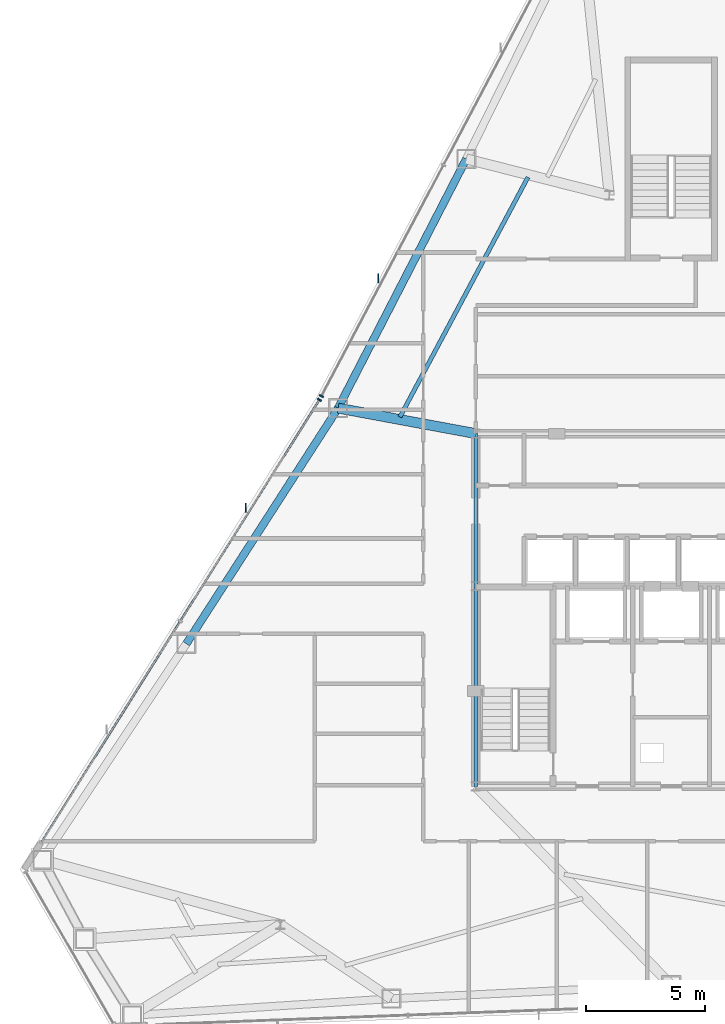
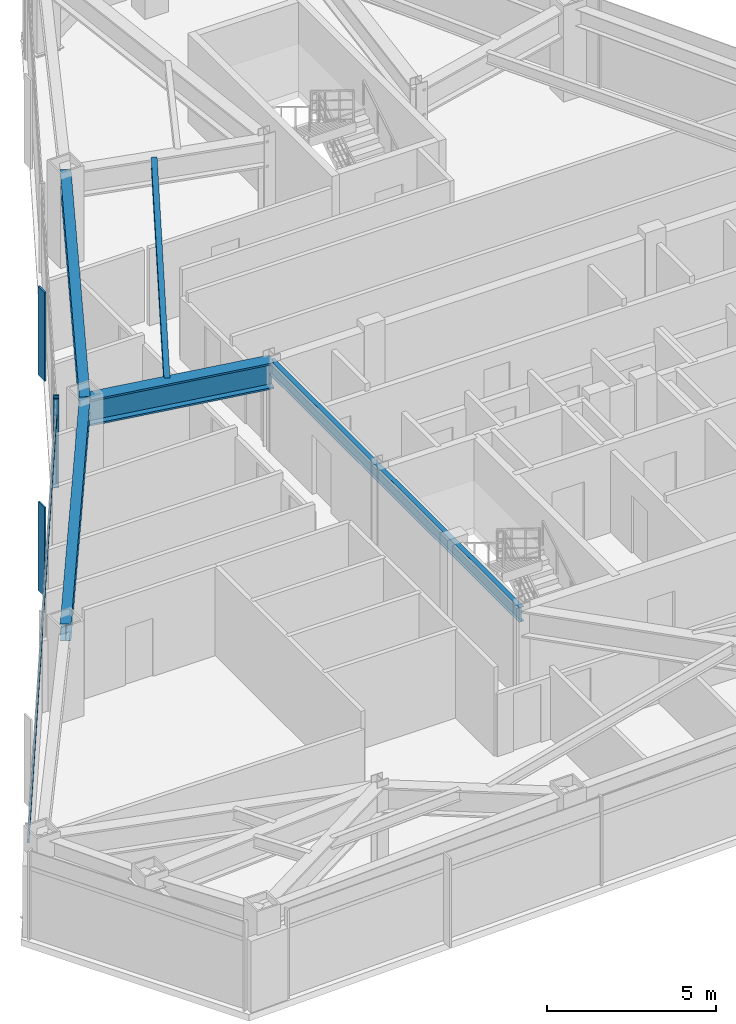
# One storey, part 5 of 13: 5 beams, 5 members, 2 elements without a shape of their own.
"""IFC4 building model written with IfcOpenShell, lengths in metres."""

from ifc_helpers import new_model, si_unit, direction, frame, origin, origin_2d, place, context, subcontext, project, spatial, rectangle, i_section, extrude, source, transform, mapped, material, layer, layer_set, material_profile, profile_set, type_object, type_shapes, element, aggregate, save


model = new_model("IFC4")

# Units and contexts
model_context = context("Model", 3, precision=1e-05, world=origin(), true_north=direction((0.0, 1.0)))
body_context = subcontext(model_context, "Body", "Model", "MODEL_VIEW")
ifc_project = project(units=[si_unit("LENGTHUNIT", "METRE"), si_unit("AREAUNIT", "SQUARE_METRE"), si_unit("VOLUMEUNIT", "CUBIC_METRE"), si_unit("PLANEANGLEUNIT", "RADIAN"), si_unit("MASSUNIT", "GRAM", prefix="KILO")], contexts=[model_context])

# Site, building, storey
site_placement = place(None, origin())
site = spatial("IfcSite", under=ifc_project, at=site_placement, CompositionType="ELEMENT")
building_placement = place(site_placement, origin())
building = spatial("IfcBuilding", under=site, at=building_placement, Name="Varakhsha Concourse Tower", CompositionType="ELEMENT")
storey_placement = place(building_placement, frame((0.0, 0.0, 175.800048828125)))
storey = spatial("IfcBuildingStorey", under=building, at=storey_placement, Name="L50", CompositionType="ELEMENT", Elevation=175.800048828125)

# Beams
ifc_material_1 = material(Name="Structural Steel ASTM A992 Grade 50", Category="steel")
ifc_material_profile_1 = material_profile(ifc_material_1, i_section(OverallWidth=0.177978515625, OverallDepth=0.406982421875, WebThickness=0.008056640625, FlangeThickness=0.012939453125, at=origin_2d()), Name="W16X40")
ifc_profile_set_1 = profile_set([ifc_material_profile_1], Name="Structural Steel ASTM A992 Grade 50")
beam_type_1 = type_object("IfcBeamType", Name="BM-JST-W16X40", PredefinedType="JOIST", material=ifc_profile_set_1)
beam_1_placement = place(storey_placement, frame((33.989013671875, 41.957275390625, 3.00634765625), z_axis=(-0.470992582223, -0.882137170451, 0.0), x_axis=(0.882137170451, -0.470992582223, 0.0)))
element("IfcBeam", 1, at=beam_1_placement, inside=storey, type_object=beam_type_1, Name="BM-TJST-L50-04", PredefinedType="JOIST", context=body_context, shape_type="SweptSolid", body=[
    extrude(i_section(OverallWidth=0.177978515625, OverallDepth=0.406982421875, WebThickness=0.008056640625, FlangeThickness=0.012939453125, at=origin_2d()), origin(), (0.0, 0.0, 1.0), 11.40576171875),
])
ifc_material_profile_2 = material_profile(ifc_material_1, i_section(OverallWidth=0.423095703125, OverallDepth=0.947998046875, WebThickness=0.0380859375, FlangeThickness=0.06396484375, at=origin_2d()), Name="W36X302")
ifc_profile_set_2 = profile_set([ifc_material_profile_2], Name="Structural Steel ASTM A992 Grade 50")
beam_type_2 = type_object("IfcBeamType", Name="BM-OUTR-W36X302", PredefinedType="USERDEFINED", material=ifc_profile_set_2)
beam_2_placement = place(storey_placement, frame((31.800048828125, 31.199951171875, 2.73583984375), z_axis=(-0.983293026869, 0.182029731939, 0.0), x_axis=(-0.182029731939, -0.983293026869, 0.0)))
element("IfcBeam", 2, at=beam_2_placement, inside=storey, type_object=beam_type_2, Name="L50 Radial Floor Girder 05", ObjectType="GIRDER", PredefinedType="USERDEFINED", context=body_context, shape_type="SweptSolid", body=[
    extrude(i_section(OverallWidth=0.423095703125, OverallDepth=0.947998046875, WebThickness=0.0380859375, FlangeThickness=0.06396484375, at=origin_2d()), origin(), (0.0, 0.0, 1.0), 5.87451171875),
])
ifc_material_profile_3 = material_profile(ifc_material_1, i_section(OverallWidth=0.1669921875, OverallDepth=0.534912109375, WebThickness=0.010009765625, FlangeThickness=0.01708984375, at=origin_2d()), Name="W21X57")
ifc_profile_set_3 = profile_set([ifc_material_profile_3], Name="Structural Steel ASTM A992 Grade 50")
beam_type_3 = type_object("IfcBeamType", Name="BM-RAD-W21X57", PredefinedType="BEAM", material=ifc_profile_set_3)
beam_3_placement = place(storey_placement, frame((31.800048828125, 16.39990234375, 2.9423828125), z_axis=(0.0, 1.0, 0.0), x_axis=(-1.0, 0.0, 0.0)))
element("IfcBeam", 3, at=beam_3_placement, inside=storey, type_object=beam_type_3, Name="BM-TCORE-L50-CW", PredefinedType="BEAM", context=body_context, shape_type="SweptSolid", body=[
    extrude(i_section(OverallWidth=0.1669921875, OverallDepth=0.534912109375, WebThickness=0.010009765625, FlangeThickness=0.01708984375, at=origin_2d()), origin(), (0.0, 0.0, 1.0), 14.800048828125),
])
ifc_material_profile_4 = material_profile(ifc_material_1, i_section(OverallWidth=0.323974609375, OverallDepth=0.611083984375, WebThickness=0.012939453125, FlangeThickness=0.01904296875, at=origin_2d()), Name="W24X104")
ifc_profile_set_4 = profile_set([ifc_material_profile_4], Name="Structural Steel ASTM A992 Grade 50")
beam_type_4 = type_object("IfcBeamType", Name="BM-SPAN-W24X104", PredefinedType="SPANDREL", material=ifc_profile_set_4)
for number, where, z_axis, x_axis, name in (
    (4, (31.401611328125, 42.7255859375, 2.904541015625), (-0.457375223262, -0.889273807748, 0.0), (0.889273807748, -0.457375223262, 0.0), "BM-SPAN-L50-04"),
    (5, (26.023681640625, 32.269287109375, 2.904541015625), (-0.541439522793, -0.840739700001, 0.0), (0.840739700001, -0.541439522793, 0.0), "BM-SPAN-L50-05"),
):
    element("IfcBeam", number, at=place(storey_placement, frame(where, z_axis=z_axis, x_axis=x_axis)), inside=storey, type_object=beam_type_4, Name=name, PredefinedType="SPANDREL", context=body_context, shape_type="SweptSolid", body=[
        extrude(i_section(OverallWidth=0.323974609375, OverallDepth=0.611083984375, WebThickness=0.012939453125, FlangeThickness=0.01904296875, at=origin_2d()), origin(), (0.0, 0.0, 1.0), 11.75830078125),
    ])

# Curtain wall, member
ifc_material_2 = material(Name="Anodised Bronze Architectural Aluminium AA 6063-T6", Category="aluminium")
ifc_layer = layer(ifc_material_2, 0.2099609375, Name="CW-SYS-04")
ifc_layer_set = layer_set([ifc_layer], Name="Anodised Bronze Architectural Aluminium AA 6063-T6")
curtain_wall_type = type_object("IfcCurtainWallType", Name="CW-SYS-04", PredefinedType="NOTDEFINED", material=ifc_layer_set)
curtain_wall_1_placement = place(storey_placement, origin())
curtain_wall_1 = element("IfcCurtainWall", 6, at=curtain_wall_1_placement, inside=storey, type_object=curtain_wall_type, Name="L50 Crystal Curtain Wall F2", PredefinedType="NOTDEFINED")
ifc_material_profile_5 = material_profile(ifc_material_2, rectangle(XDim=0.06005859375, YDim=0.3798828125, at=origin_2d()), Name="FIN-BRZ-380")
ifc_profile_set_5 = profile_set([ifc_material_profile_5], Name="Anodised Bronze Architectural Aluminium AA 6063-T6")
member_type_1 = type_object("IfcMemberType", Name="FIN-BRZ-380", PredefinedType="USERDEFINED", material=ifc_profile_set_5)
shared_shape_1 = source(origin(), body_context, "Body", "SweptSolid", [
    extrude(rectangle(XDim=0.06005859375, YDim=0.3798828125, at=origin_2d()), origin(), (0.0, 0.0, 1.0), 3.2099609375),
])
type_shapes(member_type_1, [shared_shape_1])
member_1_placement = place(storey_placement, frame((27.707763671875, 37.71630859375, 0.0), z_axis=(0.0, 0.0, 1.0), x_axis=(1.0, 0.0, 0.0)))
member_1 = element("IfcMember", 7, at=member_1_placement, type_object=member_type_1, Name="L50 Anodised Bronze Solar Fin F2-1", ObjectType="SOLAR FIN", PredefinedType="USERDEFINED", context=body_context, shape_type="MappedRepresentation", body=[
    mapped(shared_shape_1, transform((0.0, 0.0, 0.0), scale=1.0)),
])

curtain_wall_2_placement = place(storey_placement, origin())
curtain_wall_2 = element("IfcCurtainWall", 8, at=curtain_wall_2_placement, inside=storey, type_object=curtain_wall_type, Name="L50 Crystal Curtain Wall F3", PredefinedType="NOTDEFINED")
member_2_placement = place(storey_placement, frame((22.1484375, 28.08740234375, 0.0), z_axis=(0.0, 0.0, 1.0), x_axis=(1.0, 0.0, 0.0)))
member_2 = element("IfcMember", 9, at=member_2_placement, type_object=member_type_1, Name="L50 Anodised Bronze Solar Fin F3-2", ObjectType="SOLAR FIN", PredefinedType="USERDEFINED", context=body_context, shape_type="MappedRepresentation", body=[
    mapped(shared_shape_1, transform((0.0, 0.0, 0.0), scale=1.0)),
])

# Member
ifc_material_profile_6 = material_profile(ifc_material_2, rectangle(XDim=0.06494140625, YDim=0.179931640625, at=origin_2d()), Name="CWM-180X65")
ifc_profile_set_6 = profile_set([ifc_material_profile_6], Name="Anodised Bronze Architectural Aluminium AA 6063-T6")
member_type_2 = type_object("IfcMemberType", Name="CWM-180X65", PredefinedType="MULLION", material=ifc_profile_set_6)
shared_shape_2 = source(origin(), body_context, "Body", "SweptSolid", [
    extrude(rectangle(XDim=0.06494140625, YDim=0.179931640625, at=origin_2d()), origin(), (0.0, 0.0, 1.0), 3.2099609375),
])
type_shapes(member_type_2, [shared_shape_2])
member_3_placement = place(storey_placement, frame((25.325927734375, 32.771240234375, 0.0), z_axis=(0.0, 0.0, 1.0), x_axis=(0.46728648373, 0.884105956389, 0.0)))
member_3 = element("IfcMember", 10, at=member_3_placement, type_object=member_type_2, Name="CW-L50-F2 Mullion 00", PredefinedType="MULLION", context=body_context, shape_type="MappedRepresentation", body=[
    mapped(shared_shape_2, transform((0.0, 0.0, 0.0), scale=1.0)),
])

aggregate(curtain_wall_1, [member_3, member_1])

member_4_placement = place(storey_placement, frame((25.239990234375, 32.622314453125, 0.0), z_axis=(0.0, 0.0, 1.0), x_axis=(0.532022365141, 0.846730301212, 0.0)))
member_4 = element("IfcMember", 11, at=member_4_placement, type_object=member_type_2, Name="CW-L50-F3 Mullion 02", PredefinedType="MULLION", context=body_context, shape_type="MappedRepresentation", body=[
    mapped(shared_shape_2, transform((0.0, 0.0, 0.0), scale=1.0)),
])

ifc_material_profile_7 = material_profile(ifc_material_2, rectangle(XDim=0.06005859375, YDim=0.139892578125, at=origin_2d()), Name="CWT-140X60")
ifc_profile_set_7 = profile_set([ifc_material_profile_7], Name="Anodised Bronze Architectural Aluminium AA 6063-T6")
member_type_3 = type_object("IfcMemberType", Name="CWT-140X60", PredefinedType="USERDEFINED", material=ifc_profile_set_7)
shared_shape_3 = source(origin(), body_context, "Body", "SweptSolid", [
    extrude(rectangle(XDim=0.06005859375, YDim=0.139892578125, at=origin_2d()), origin(), (0.0, 0.0, 1.0), 21.939208984375),
])
type_shapes(member_type_3, [shared_shape_3])
member_5_placement = place(storey_placement, frame((13.56787109375, 14.045654296875, 2.56005859375), z_axis=(0.532019983212, 0.846731797834, 0.0), x_axis=(-0.846731797834, 0.532019983212, 0.0)))
member_5 = element("IfcMember", 12, at=member_5_placement, type_object=member_type_3, Name="CW-L50-F3 Transom 01", ObjectType="TRANSOM", PredefinedType="USERDEFINED", context=body_context, shape_type="MappedRepresentation", body=[
    mapped(shared_shape_3, transform((0.0, 0.0, 0.0), scale=1.0)),
])

aggregate(curtain_wall_2, [member_4, member_5, member_2])

save(model, "model.ifc")
